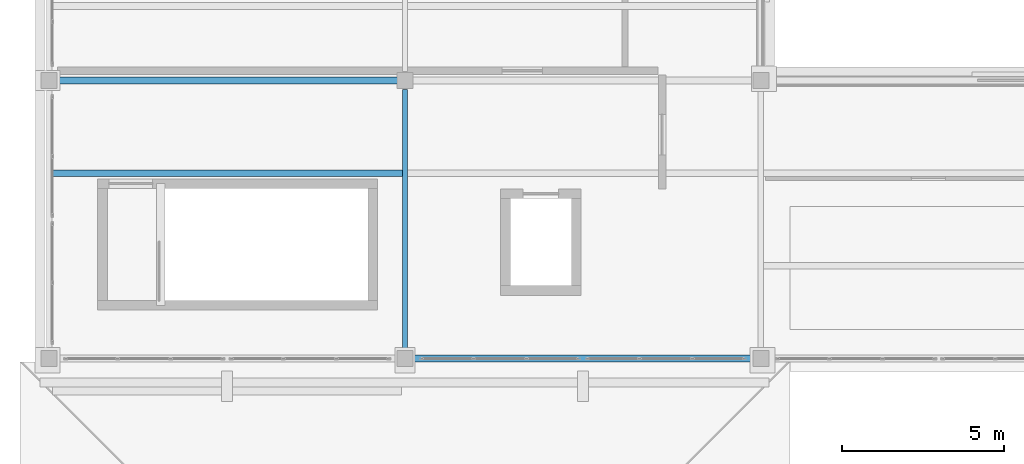
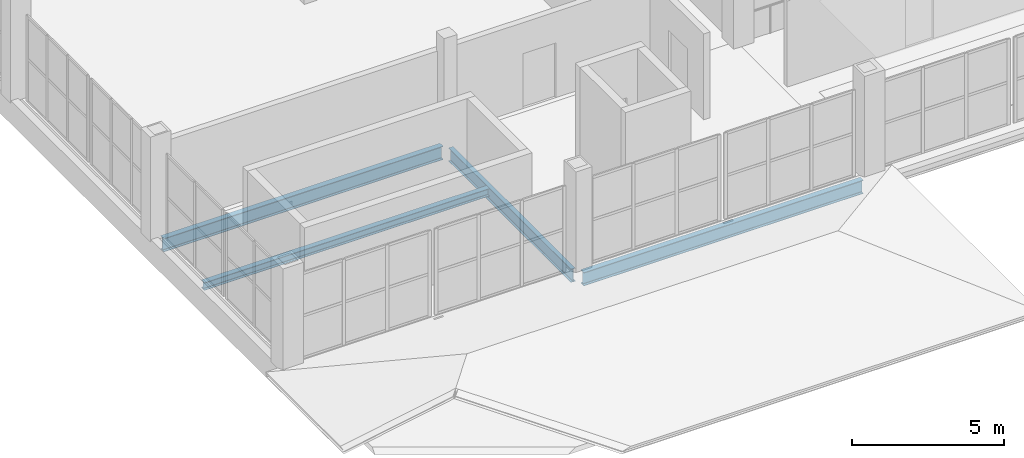
# One storey, part 5 of 26: 4 beams.
"""IFC4 building model written with IfcOpenShell, lengths in metres."""

from ifc_helpers import new_model, si_unit, direction, frame, origin, origin_2d, place, context, subcontext, project, spatial, i_section, extrude, material, material_profile, profile_set, type_object, element, save


model = new_model("IFC4")

# Units and contexts
model_context = context("Model", 3, precision=1e-05, world=origin(), true_north=direction((0.0, 1.0)))
body_context = subcontext(model_context, "Body", "Model", "MODEL_VIEW")
ifc_project = project(units=[si_unit("LENGTHUNIT", "METRE"), si_unit("AREAUNIT", "SQUARE_METRE"), si_unit("VOLUMEUNIT", "CUBIC_METRE"), si_unit("PLANEANGLEUNIT", "RADIAN"), si_unit("MASSUNIT", "GRAM", prefix="KILO")], contexts=[model_context])

# Site, building, storey
site_placement = place(None, origin())
site = spatial("IfcSite", under=ifc_project, at=site_placement, CompositionType="ELEMENT")
building_placement = place(site_placement, origin())
building = spatial("IfcBuilding", under=site, at=building_placement, Name="Caurita Quay Ferry Terminal", CompositionType="ELEMENT")
storey_placement = place(building_placement, frame((0.0, 0.0, 18.300048828125)))
storey = spatial("IfcBuildingStorey", under=building, at=storey_placement, Name="L04", CompositionType="ELEMENT", Elevation=18.300048828125)

# Beams
ifc_material = material(Name="Structural steel ASTM A992 Gr. 50", Category="steel")
ifc_material_profile_1 = material_profile(ifc_material, i_section(OverallWidth=0.210693359375, OverallDepth=0.53857421875, WebThickness=0.01171875, FlangeThickness=0.018798828125, FilletRadius=0.013916015625, at=origin_2d()), Name="W21X73")
ifc_profile_set_1 = profile_set([ifc_material_profile_1], Name="Structural steel ASTM A992 Gr. 50")
beam_type_1 = type_object("IfcBeamType", Name="BM-GR-W21A", PredefinedType="BEAM", material=ifc_profile_set_1)
for number, where, z_axis, x_axis, name in (
    (1, (11.19140625, 71.60009765625, -0.4892578125), (1.0, 0.0, 0.0), (0.0, 1.0, 0.0), "L04 Beam BM-V5-L04-X-112-716"),
    (2, (0.19140625, 80.199951171875, -0.4892578125), (1.0, 0.0, 0.0), (0.0, 1.0, 0.0), "L04 Beam BM-V5-L04-X-2-802"),
):
    element("IfcBeam", number, at=place(storey_placement, frame(where, z_axis=z_axis, x_axis=x_axis)), inside=storey, type_object=beam_type_1, Name=name, PredefinedType="BEAM", context=body_context, shape_type="SweptSolid", body=[
        extrude(i_section(OverallWidth=0.210693359375, OverallDepth=0.53857421875, WebThickness=0.01171875, FlangeThickness=0.018798828125, FilletRadius=0.013916015625, at=origin_2d()), origin(), (0.0, 0.0, 1.0), 10.6171875),
    ])
ifc_material_profile_2 = material_profile(ifc_material, i_section(OverallWidth=0.20458984375, OverallDepth=0.307373046875, WebThickness=0.008544921875, FlangeThickness=0.0146484375, FilletRadius=0.0126953125, at=origin_2d()), Name="W12X45")
ifc_profile_set_2 = profile_set([ifc_material_profile_2], Name="Structural steel ASTM A992 Gr. 50")
beam_type_2 = type_object("IfcBeamType", Name="BM-JS-W12B", PredefinedType="JOIST", material=ifc_profile_set_2)
beam_1_placement = place(storey_placement, frame((0.083251953125, 77.333251953125, -0.373779296875), z_axis=(1.0, 0.0, 0.0), x_axis=(0.0, 1.0, 0.0)))
element("IfcBeam", 3, at=beam_1_placement, inside=storey, type_object=beam_type_2, Name="L04 Beam JS-V5-L04-001", PredefinedType="JOIST", context=body_context, shape_type="SweptSolid", body=[
    extrude(i_section(OverallWidth=0.20458984375, OverallDepth=0.307373046875, WebThickness=0.008544921875, FlangeThickness=0.0146484375, FilletRadius=0.0126953125, at=origin_2d()), origin(), (0.0, 0.0, 1.0), 10.83349609375),
])
ifc_material_profile_3 = material_profile(ifc_material, i_section(OverallWidth=0.16650390625, OverallDepth=0.535888671875, WebThickness=0.01025390625, FlangeThickness=0.0166015625, FilletRadius=0.013916015625, at=origin_2d()), Name="W21X57")
ifc_profile_set_3 = profile_set([ifc_material_profile_3], Name="Structural steel ASTM A992 Gr. 50")
beam_type_3 = type_object("IfcBeamType", Name="BM-SP-W21B", PredefinedType="SPANDREL", material=ifc_profile_set_3)
beam_2_placement = place(storey_placement, frame((11.0, 71.876220703125, -0.488037109375), z_axis=(0.0, 1.0, 0.0), x_axis=(-1.0, 0.0, 0.0)))
element("IfcBeam", 4, at=beam_2_placement, inside=storey, type_object=beam_type_3, Name="L04 Beam BM-V5-L04-Y-110-719", PredefinedType="SPANDREL", context=body_context, shape_type="SweptSolid", body=[
    extrude(i_section(OverallWidth=0.16650390625, OverallDepth=0.535888671875, WebThickness=0.01025390625, FlangeThickness=0.0166015625, FilletRadius=0.013916015625, at=origin_2d()), origin(), (0.0, 0.0, 1.0), 8.04736328125),
])

save(model, "model.ifc")
